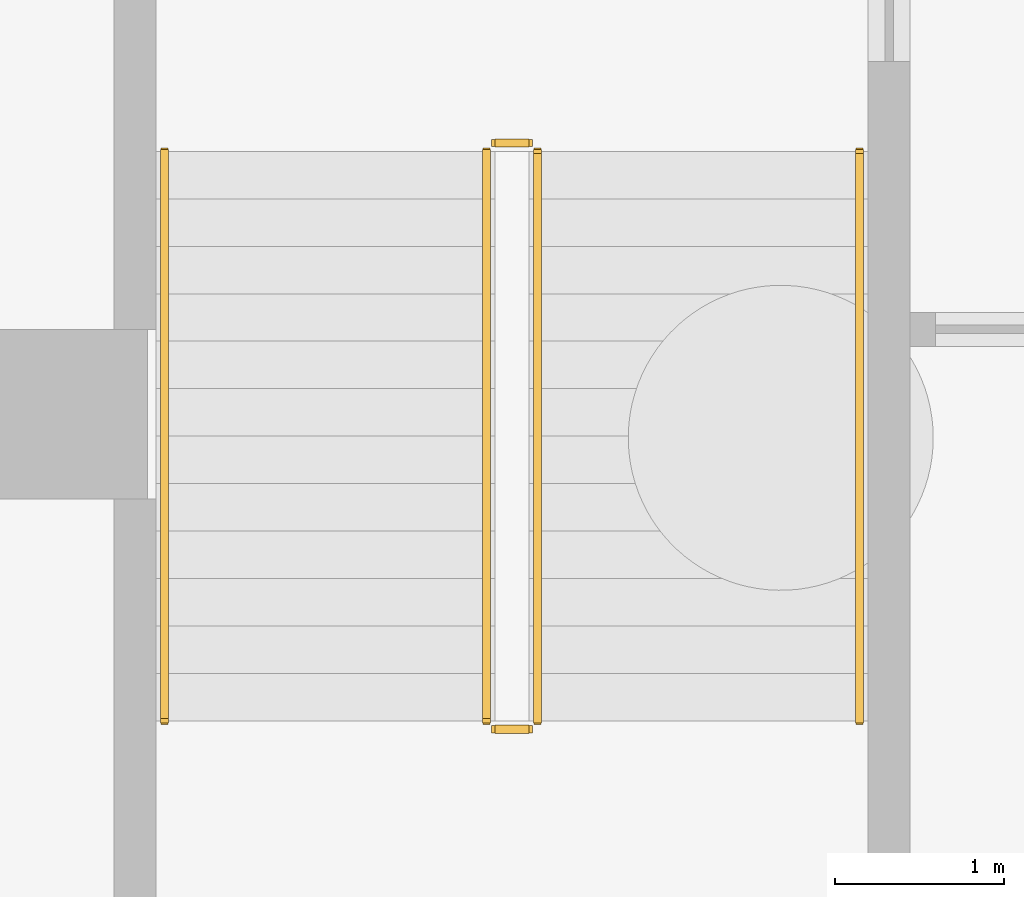
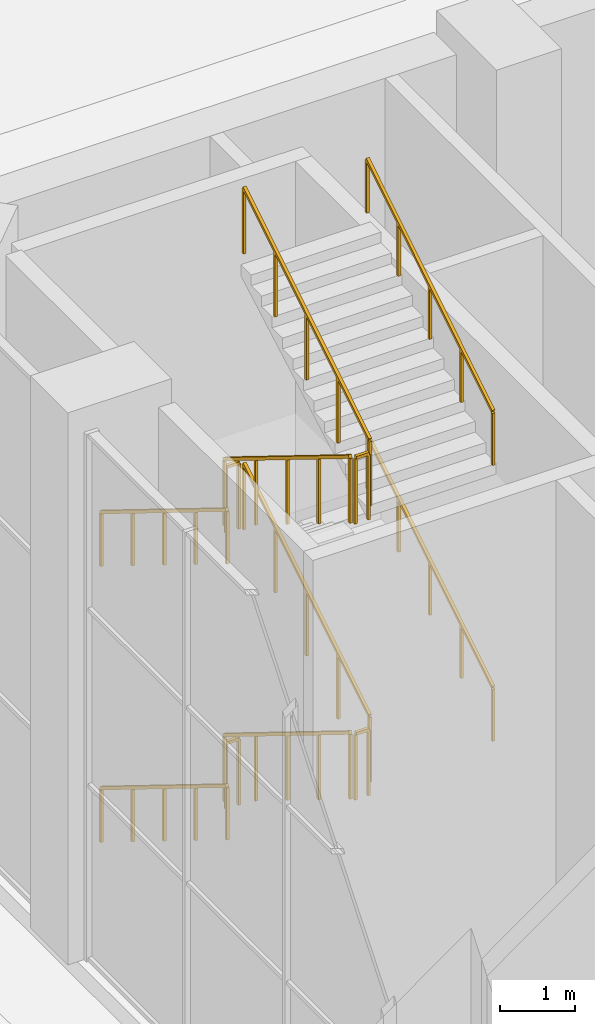
# One storey, part 24 of 25: 12 railings.
"""IFC4 building model written with IfcOpenShell, lengths in metres."""

from ifc_helpers import new_model, si_unit, direction, frame, origin, origin_2d, place, context, subcontext, project, spatial, rectangle, extrude, material, type_object, element, save


model = new_model("IFC4")

# Units and contexts
model_context = context("Model", 3, precision=1e-05, world=origin(), true_north=direction((0.0, 1.0)))
body_context = subcontext(model_context, "Body", "Model", "MODEL_VIEW")
ifc_project = project(units=[si_unit("LENGTHUNIT", "METRE"), si_unit("AREAUNIT", "SQUARE_METRE"), si_unit("VOLUMEUNIT", "CUBIC_METRE"), si_unit("PLANEANGLEUNIT", "RADIAN"), si_unit("MASSUNIT", "GRAM", prefix="KILO")], contexts=[model_context])

# Site, building, storey
site_placement = place(None, origin())
site = spatial("IfcSite", under=ifc_project, at=site_placement, CompositionType="ELEMENT")
building_placement = place(site_placement, origin())
building = spatial("IfcBuilding", under=site, at=building_placement, Name="Cypress Arch Tower", CompositionType="ELEMENT")
storey_placement = place(building_placement, origin())
storey = spatial("IfcBuildingStorey", under=building, at=storey_placement, Name="L00", CompositionType="ELEMENT", Elevation=0.0)

# Railings
ifc_material_1 = material(Name="Black powder-coated steel square bar 48 mm", Category="steel")
railing_type_1 = type_object("IfcRailingType", Name="Stair handrail HR1", PredefinedType="HANDRAIL", material=ifc_material_1)
railing_1_placement = place(storey_placement, frame((-37.449951171875, 24.050048828125, 0.173095703125)))
element("IfcRailing", 1, at=railing_1_placement, inside=storey, type_object=railing_type_1, Name="L00 P2 stair handrail 1", PredefinedType="HANDRAIL", context=body_context, shape_type="SweptSolid", body=[
    extrude(rectangle(XDim=0.048095703125, YDim=0.048095703125, at=origin_2d()), frame((0.0, 0.0, 0.8759765625), z_axis=(0.0, -0.850623216509, 0.525775754039), x_axis=(1.0, 0.0, 0.0)), (0.0, 0.0, 1.0), 3.9501953125),
    extrude(rectangle(XDim=0.0419921875, YDim=0.0419921875, at=origin_2d()), origin(), (0.0, 0.0, 1.0), 0.851806640625),
    extrude(rectangle(XDim=0.0419921875, YDim=0.0419921875, at=origin_2d()), frame((0.0, -0.840087890625, 0.519287109375)), (0.0, 0.0, 1.0), 0.851806640625),
    extrude(rectangle(XDim=0.0419921875, YDim=0.0419921875, at=origin_2d()), frame((0.0, -1.68017578125, 1.03857421875)), (0.0, 0.0, 1.0), 0.851806640625),
    extrude(rectangle(XDim=0.0419921875, YDim=0.0419921875, at=origin_2d()), frame((0.0, -2.52001953125, 1.5576171875)), (0.0, 0.0, 1.0), 0.851806640625),
    extrude(rectangle(XDim=0.0419921875, YDim=0.0419921875, at=origin_2d()), frame((0.0, -3.360107421875, 2.076904296875)), (0.0, 0.0, 1.0), 0.851806640625),
])
railing_2_placement = place(storey_placement, frame((-33.35009765625, 20.68994140625, 2.423095703125)))
element("IfcRailing", 2, at=railing_2_placement, inside=storey, type_object=railing_type_1, Name="L00 P2 stair handrail 2", PredefinedType="HANDRAIL", context=body_context, shape_type="SweptSolid", body=[
    extrude(rectangle(XDim=0.048095703125, YDim=0.048095703125, at=origin_2d()), frame((0.0, 0.0, 0.8759765625), z_axis=(0.0, 0.850623216509, 0.525775754039), x_axis=(-1.0, 0.0, 0.0)), (0.0, 0.0, 1.0), 3.9501953125),
    extrude(rectangle(XDim=0.0419921875, YDim=0.0419921875, at=origin_2d()), origin(), (0.0, 0.0, 1.0), 0.851806640625),
    extrude(rectangle(XDim=0.0419921875, YDim=0.0419921875, at=origin_2d()), frame((0.0, 0.840087890625, 0.519287109375)), (0.0, 0.0, 1.0), 0.851806640625),
    extrude(rectangle(XDim=0.0419921875, YDim=0.0419921875, at=origin_2d()), frame((0.0, 1.68017578125, 1.03857421875)), (0.0, 0.0, 1.0), 0.851806640625),
    extrude(rectangle(XDim=0.0419921875, YDim=0.0419921875, at=origin_2d()), frame((0.0, 2.52001953125, 1.5576171875)), (0.0, 0.0, 1.0), 0.851806640625),
    extrude(rectangle(XDim=0.0419921875, YDim=0.0419921875, at=origin_2d()), frame((0.0, 3.360107421875, 2.076904296875)), (0.0, 0.0, 1.0), 0.851806640625),
])
railing_3_placement = place(storey_placement, frame((-37.449951171875, 24.050048828125, 4.673095703125)))
element("IfcRailing", 3, at=railing_3_placement, inside=storey, type_object=railing_type_1, Name="L00 P2 stair handrail 3", PredefinedType="HANDRAIL", context=body_context, shape_type="SweptSolid", body=[
    extrude(rectangle(XDim=0.048095703125, YDim=0.048095703125, at=origin_2d()), frame((0.0, 0.0, 0.8759765625), z_axis=(0.0, -0.850623216509, 0.525775754039), x_axis=(1.0, 0.0, 0.0)), (0.0, 0.0, 1.0), 3.9501953125),
    extrude(rectangle(XDim=0.0419921875, YDim=0.0419921875, at=origin_2d()), origin(), (0.0, 0.0, 1.0), 0.851806640625),
    extrude(rectangle(XDim=0.0419921875, YDim=0.0419921875, at=origin_2d()), frame((0.0, -0.840087890625, 0.519287109375)), (0.0, 0.0, 1.0), 0.851806640625),
    extrude(rectangle(XDim=0.0419921875, YDim=0.0419921875, at=origin_2d()), frame((0.0, -1.68017578125, 1.03857421875)), (0.0, 0.0, 1.0), 0.851806640625),
    extrude(rectangle(XDim=0.0419921875, YDim=0.0419921875, at=origin_2d()), frame((0.0, -2.52001953125, 1.5576171875)), (0.0, 0.0, 1.0), 0.851806640625),
    extrude(rectangle(XDim=0.0419921875, YDim=0.0419921875, at=origin_2d()), frame((0.0, -3.360107421875, 2.076904296875)), (0.0, 0.0, 1.0), 0.851806640625),
])
railing_4_placement = place(storey_placement, frame((-33.35009765625, 20.68994140625, 6.923095703125)))
element("IfcRailing", 4, at=railing_4_placement, inside=storey, type_object=railing_type_1, Name="L00 P2 stair handrail 4", PredefinedType="HANDRAIL", context=body_context, shape_type="SweptSolid", body=[
    extrude(rectangle(XDim=0.048095703125, YDim=0.048095703125, at=origin_2d()), frame((0.0, 0.0, 0.8759765625), z_axis=(0.0, 0.850623216509, 0.525775754039), x_axis=(-1.0, 0.0, 0.0)), (0.0, 0.0, 1.0), 3.9501953125),
    extrude(rectangle(XDim=0.0419921875, YDim=0.0419921875, at=origin_2d()), origin(), (0.0, 0.0, 1.0), 0.851806640625),
    extrude(rectangle(XDim=0.0419921875, YDim=0.0419921875, at=origin_2d()), frame((0.0, 0.840087890625, 0.519287109375)), (0.0, 0.0, 1.0), 0.851806640625),
    extrude(rectangle(XDim=0.0419921875, YDim=0.0419921875, at=origin_2d()), frame((0.0, 1.68017578125, 1.03857421875)), (0.0, 0.0, 1.0), 0.851806640625),
    extrude(rectangle(XDim=0.0419921875, YDim=0.0419921875, at=origin_2d()), frame((0.0, 2.52001953125, 1.5576171875)), (0.0, 0.0, 1.0), 0.851806640625),
    extrude(rectangle(XDim=0.0419921875, YDim=0.0419921875, at=origin_2d()), frame((0.0, 3.360107421875, 2.076904296875)), (0.0, 0.0, 1.0), 0.851806640625),
])
ifc_material_2 = material(Name="Black powder-coated steel balusters", Category="steel")
railing_type_2 = type_object("IfcRailingType", Name="Stair well guard G1", PredefinedType="GUARDRAIL", material=ifc_material_2)
railing_5_placement = place(storey_placement, frame((-35.550048828125, 24.050048828125, 0.173095703125)))
element("IfcRailing", 5, at=railing_5_placement, inside=storey, type_object=railing_type_2, Name="L00 P2 stair guard 1", PredefinedType="GUARDRAIL", context=body_context, shape_type="SweptSolid", body=[
    extrude(rectangle(XDim=0.048095703125, YDim=0.048095703125, at=origin_2d()), frame((0.0, 0.0, 1.076171875), z_axis=(0.0, -0.850623216509, 0.525775754039), x_axis=(1.0, 0.0, 0.0)), (0.0, 0.0, 1.0), 3.9501953125),
    extrude(rectangle(XDim=0.0419921875, YDim=0.0419921875, at=origin_2d()), origin(), (0.0, 0.0, 1.0), 1.052001953125),
    extrude(rectangle(XDim=0.0419921875, YDim=0.0419921875, at=origin_2d()), frame((0.0, -0.840087890625, 0.519287109375)), (0.0, 0.0, 1.0), 1.052001953125),
    extrude(rectangle(XDim=0.0419921875, YDim=0.0419921875, at=origin_2d()), frame((0.0, -1.68017578125, 1.03857421875)), (0.0, 0.0, 1.0), 1.052001953125),
    extrude(rectangle(XDim=0.0419921875, YDim=0.0419921875, at=origin_2d()), frame((0.0, -2.52001953125, 1.5576171875)), (0.0, 0.0, 1.0), 1.052001953125),
    extrude(rectangle(XDim=0.0419921875, YDim=0.0419921875, at=origin_2d()), frame((0.0, -3.360107421875, 2.076904296875)), (0.0, 0.0, 1.0), 1.052001953125),
])
railing_6_placement = place(storey_placement, frame((-35.5, 20.639892578125, 2.25)))
element("IfcRailing", 6, at=railing_6_placement, inside=storey, type_object=railing_type_2, Name="L00 P2 stair guard 2", PredefinedType="GUARDRAIL", context=body_context, shape_type="SweptSolid", body=[
    extrude(rectangle(XDim=0.048095703125, YDim=0.048095703125, at=origin_2d()), frame((0.0, 0.0, 1.076171875), z_axis=(1.0, 0.0, 0.0), x_axis=(0.0, 1.0, 0.0)), (0.0, 0.0, 1.0), 0.199951171875),
    extrude(rectangle(XDim=0.0419921875, YDim=0.0419921875, at=origin_2d()), origin(), (0.0, 0.0, 1.0), 1.052001953125),
    extrude(rectangle(XDim=0.0419921875, YDim=0.0419921875, at=origin_2d()), frame((0.199951171875, 0.0, 0.0)), (0.0, 0.0, 1.0), 1.052001953125),
])
railing_7_placement = place(storey_placement, frame((-35.25, 20.68994140625, 2.423095703125)))
element("IfcRailing", 7, at=railing_7_placement, inside=storey, type_object=railing_type_2, Name="L00 P2 stair guard 3", PredefinedType="GUARDRAIL", context=body_context, shape_type="SweptSolid", body=[
    extrude(rectangle(XDim=0.048095703125, YDim=0.048095703125, at=origin_2d()), frame((0.0, 0.0, 1.076171875), z_axis=(0.0, 0.850623216509, 0.525775754039), x_axis=(-1.0, 0.0, 0.0)), (0.0, 0.0, 1.0), 3.9501953125),
    extrude(rectangle(XDim=0.0419921875, YDim=0.0419921875, at=origin_2d()), origin(), (0.0, 0.0, 1.0), 1.052001953125),
    extrude(rectangle(XDim=0.0419921875, YDim=0.0419921875, at=origin_2d()), frame((0.0, 0.840087890625, 0.519287109375)), (0.0, 0.0, 1.0), 1.052001953125),
    extrude(rectangle(XDim=0.0419921875, YDim=0.0419921875, at=origin_2d()), frame((0.0, 1.68017578125, 1.03857421875)), (0.0, 0.0, 1.0), 1.052001953125),
    extrude(rectangle(XDim=0.0419921875, YDim=0.0419921875, at=origin_2d()), frame((0.0, 2.52001953125, 1.5576171875)), (0.0, 0.0, 1.0), 1.052001953125),
    extrude(rectangle(XDim=0.0419921875, YDim=0.0419921875, at=origin_2d()), frame((0.0, 3.360107421875, 2.076904296875)), (0.0, 0.0, 1.0), 1.052001953125),
])
railing_8_placement = place(storey_placement, frame((-35.5, 24.10009765625, 4.5)))
element("IfcRailing", 8, at=railing_8_placement, inside=storey, type_object=railing_type_2, Name="L00 P2 stair guard 4", PredefinedType="GUARDRAIL", context=body_context, shape_type="SweptSolid", body=[
    extrude(rectangle(XDim=0.048095703125, YDim=0.048095703125, at=origin_2d()), frame((0.0, 0.0, 1.076171875), z_axis=(1.0, 0.0, 0.0), x_axis=(0.0, 1.0, 0.0)), (0.0, 0.0, 1.0), 0.199951171875),
    extrude(rectangle(XDim=0.0419921875, YDim=0.0419921875, at=origin_2d()), origin(), (0.0, 0.0, 1.0), 1.052001953125),
    extrude(rectangle(XDim=0.0419921875, YDim=0.0419921875, at=origin_2d()), frame((0.199951171875, 0.0, 0.0)), (0.0, 0.0, 1.0), 1.052001953125),
])
railing_9_placement = place(storey_placement, frame((-35.550048828125, 24.050048828125, 4.673095703125)))
element("IfcRailing", 9, at=railing_9_placement, inside=storey, type_object=railing_type_2, Name="L00 P2 stair guard 5", PredefinedType="GUARDRAIL", context=body_context, shape_type="SweptSolid", body=[
    extrude(rectangle(XDim=0.048095703125, YDim=0.048095703125, at=origin_2d()), frame((0.0, 0.0, 1.076171875), z_axis=(0.0, -0.850623216509, 0.525775754039), x_axis=(1.0, 0.0, 0.0)), (0.0, 0.0, 1.0), 3.9501953125),
    extrude(rectangle(XDim=0.0419921875, YDim=0.0419921875, at=origin_2d()), origin(), (0.0, 0.0, 1.0), 1.052001953125),
    extrude(rectangle(XDim=0.0419921875, YDim=0.0419921875, at=origin_2d()), frame((0.0, -0.840087890625, 0.519287109375)), (0.0, 0.0, 1.0), 1.052001953125),
    extrude(rectangle(XDim=0.0419921875, YDim=0.0419921875, at=origin_2d()), frame((0.0, -1.68017578125, 1.03857421875)), (0.0, 0.0, 1.0), 1.052001953125),
    extrude(rectangle(XDim=0.0419921875, YDim=0.0419921875, at=origin_2d()), frame((0.0, -2.52001953125, 1.5576171875)), (0.0, 0.0, 1.0), 1.052001953125),
    extrude(rectangle(XDim=0.0419921875, YDim=0.0419921875, at=origin_2d()), frame((0.0, -3.360107421875, 2.076904296875)), (0.0, 0.0, 1.0), 1.052001953125),
])
railing_10_placement = place(storey_placement, frame((-35.5, 20.639892578125, 6.75)))
element("IfcRailing", 10, at=railing_10_placement, inside=storey, type_object=railing_type_2, Name="L00 P2 stair guard 6", PredefinedType="GUARDRAIL", context=body_context, shape_type="SweptSolid", body=[
    extrude(rectangle(XDim=0.048095703125, YDim=0.048095703125, at=origin_2d()), frame((0.0, 0.0, 1.076171875), z_axis=(1.0, 0.0, 0.0), x_axis=(0.0, 1.0, 0.0)), (0.0, 0.0, 1.0), 0.199951171875),
    extrude(rectangle(XDim=0.0419921875, YDim=0.0419921875, at=origin_2d()), origin(), (0.0, 0.0, 1.0), 1.052001953125),
    extrude(rectangle(XDim=0.0419921875, YDim=0.0419921875, at=origin_2d()), frame((0.199951171875, 0.0, 0.0)), (0.0, 0.0, 1.0), 1.052001953125),
])
railing_11_placement = place(storey_placement, frame((-35.25, 20.68994140625, 6.923095703125)))
element("IfcRailing", 11, at=railing_11_placement, inside=storey, type_object=railing_type_2, Name="L00 P2 stair guard 7", PredefinedType="GUARDRAIL", context=body_context, shape_type="SweptSolid", body=[
    extrude(rectangle(XDim=0.048095703125, YDim=0.048095703125, at=origin_2d()), frame((0.0, 0.0, 1.076171875), z_axis=(0.0, 0.850623216509, 0.525775754039), x_axis=(-1.0, 0.0, 0.0)), (0.0, 0.0, 1.0), 3.9501953125),
    extrude(rectangle(XDim=0.0419921875, YDim=0.0419921875, at=origin_2d()), origin(), (0.0, 0.0, 1.0), 1.052001953125),
    extrude(rectangle(XDim=0.0419921875, YDim=0.0419921875, at=origin_2d()), frame((0.0, 0.840087890625, 0.519287109375)), (0.0, 0.0, 1.0), 1.052001953125),
    extrude(rectangle(XDim=0.0419921875, YDim=0.0419921875, at=origin_2d()), frame((0.0, 1.68017578125, 1.03857421875)), (0.0, 0.0, 1.0), 1.052001953125),
    extrude(rectangle(XDim=0.0419921875, YDim=0.0419921875, at=origin_2d()), frame((0.0, 2.52001953125, 1.5576171875)), (0.0, 0.0, 1.0), 1.052001953125),
    extrude(rectangle(XDim=0.0419921875, YDim=0.0419921875, at=origin_2d()), frame((0.0, 3.360107421875, 2.076904296875)), (0.0, 0.0, 1.0), 1.052001953125),
])
railing_12_placement = place(storey_placement, frame((-35.5, 24.10009765625, 0.0)))
element("IfcRailing", 12, at=railing_12_placement, inside=storey, type_object=railing_type_2, Name="L00 P2 stair guard 8", PredefinedType="GUARDRAIL", context=body_context, shape_type="SweptSolid", body=[
    extrude(rectangle(XDim=0.048095703125, YDim=0.048095703125, at=origin_2d()), frame((0.0, 0.0, 1.076171875), z_axis=(1.0, 0.0, 0.0), x_axis=(0.0, 1.0, 0.0)), (0.0, 0.0, 1.0), 0.199951171875),
    extrude(rectangle(XDim=0.0419921875, YDim=0.0419921875, at=origin_2d()), origin(), (0.0, 0.0, 1.0), 1.052001953125),
    extrude(rectangle(XDim=0.0419921875, YDim=0.0419921875, at=origin_2d()), frame((0.199951171875, 0.0, 0.0)), (0.0, 0.0, 1.0), 1.052001953125),
])

save(model, "model.ifc")
